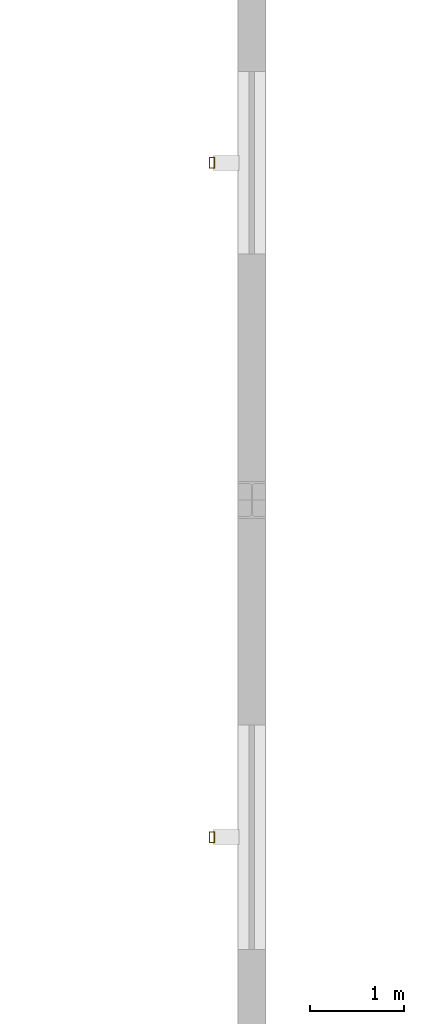
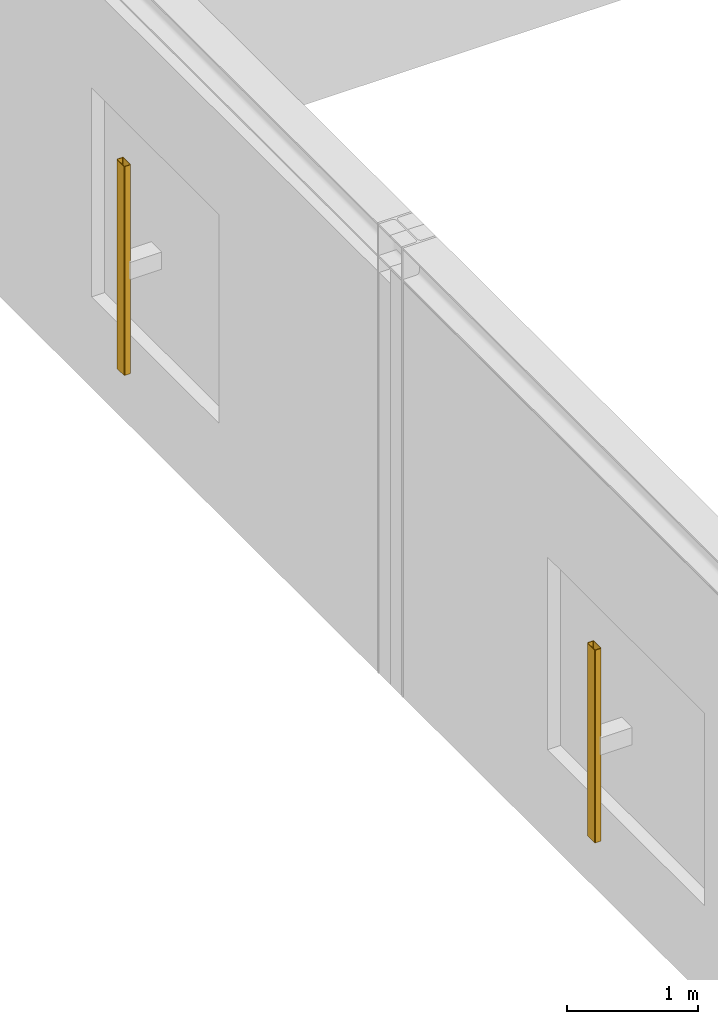
# One storey, part 92 of 109: 2 shading devices.
"""IFC4 building model written with IfcOpenShell, lengths in metres."""

from ifc_helpers import new_model, si_unit, derived_unit, direction, frame, origin, origin_2d, place, context, subcontext, project, spatial, hollow_rectangle, extrude, material, material_profile, profile_set, type_object, element, save


model = new_model("IFC4")

# Units and contexts
model_context = context("Model", 3, precision=1e-05, world=origin(), true_north=direction((0.0, 1.0)))
body_context = subcontext(model_context, "Body", "Model", "MODEL_VIEW")
ifc_project = project(units=[si_unit("LENGTHUNIT", "METRE"), si_unit("AREAUNIT", "SQUARE_METRE"), si_unit("VOLUMEUNIT", "CUBIC_METRE"), si_unit("PLANEANGLEUNIT", "RADIAN"), si_unit("MASSUNIT", "GRAM", prefix="KILO"), derived_unit("THERMALTRANSMITTANCEUNIT", [(si_unit("MASSUNIT", "GRAM", prefix="KILO"), 1), (si_unit("TIMEUNIT", "SECOND"), -3), (si_unit("THERMODYNAMICTEMPERATUREUNIT", "KELVIN"), -1)])], contexts=[model_context])

# Site, building, storey
site_placement = place(None, origin())
site = spatial("IfcSite", under=ifc_project, at=site_placement, CompositionType="ELEMENT")
building_placement = place(site_placement, origin())
building = spatial("IfcBuilding", under=site, at=building_placement, Name="Kharveza Railside Sports Centre", CompositionType="ELEMENT")
storey_placement = place(building_placement, frame((0.0, 0.0, 4.5)))
storey = spatial("IfcBuildingStorey", under=building, at=storey_placement, Name="L01", CompositionType="ELEMENT", Elevation=4.5)

# Shading devices
ifc_material = material(Name="Anodised aluminium 6063-T6", Category="aluminium")
ifc_material_profile = material_profile(ifc_material, hollow_rectangle(XDim=0.06005859375, YDim=0.1201171875, WallThickness=0.0048828125, InnerFilletRadius=0.0048828125, OuterFilletRadius=0.010009765625, at=origin_2d()), Name="RHS 60x120x5.0")
ifc_profile_set = profile_set([ifc_material_profile], Name="Anodised aluminium 6063-T6")
shading_device_type = type_object("IfcShadingDeviceType", Name="SD-LV01", PredefinedType="JALOUSIE", material=ifc_profile_set)
shading_device_1_placement = place(storey_placement, frame((91.97509765625, 104.39990234375, 0.85009765625), z_axis=(0.0, 0.0, 1.0), x_axis=(-1.0, 0.0, 0.0)))
element("IfcShadingDevice", 1, at=shading_device_1_placement, inside=storey, type_object=shading_device_type, Name="SD-FIN-050", PredefinedType="JALOUSIE", context=body_context, shape_type="SweptSolid", body=[
    extrude(hollow_rectangle(XDim=0.06005859375, YDim=0.1201171875, WallThickness=0.0048828125, InnerFilletRadius=0.0048828125, OuterFilletRadius=0.010009765625, at=origin_2d()), origin(), (0.0, 0.0, 1.0), 1.949951171875),
])
shading_device_2_placement = place(storey_placement, frame((91.97509765625, 97.199951171875, 0.85009765625), z_axis=(0.0, 0.0, 1.0), x_axis=(-1.0, 0.0, 0.0)))
element("IfcShadingDevice", 2, at=shading_device_2_placement, inside=storey, type_object=shading_device_type, Name="SD-FIN-051", PredefinedType="JALOUSIE", context=body_context, shape_type="SweptSolid", body=[
    extrude(hollow_rectangle(XDim=0.06005859375, YDim=0.1201171875, WallThickness=0.0048828125, InnerFilletRadius=0.0048828125, OuterFilletRadius=0.010009765625, at=origin_2d()), origin(), (0.0, 0.0, 1.0), 1.7998046875),
])

save(model, "model.ifc")
